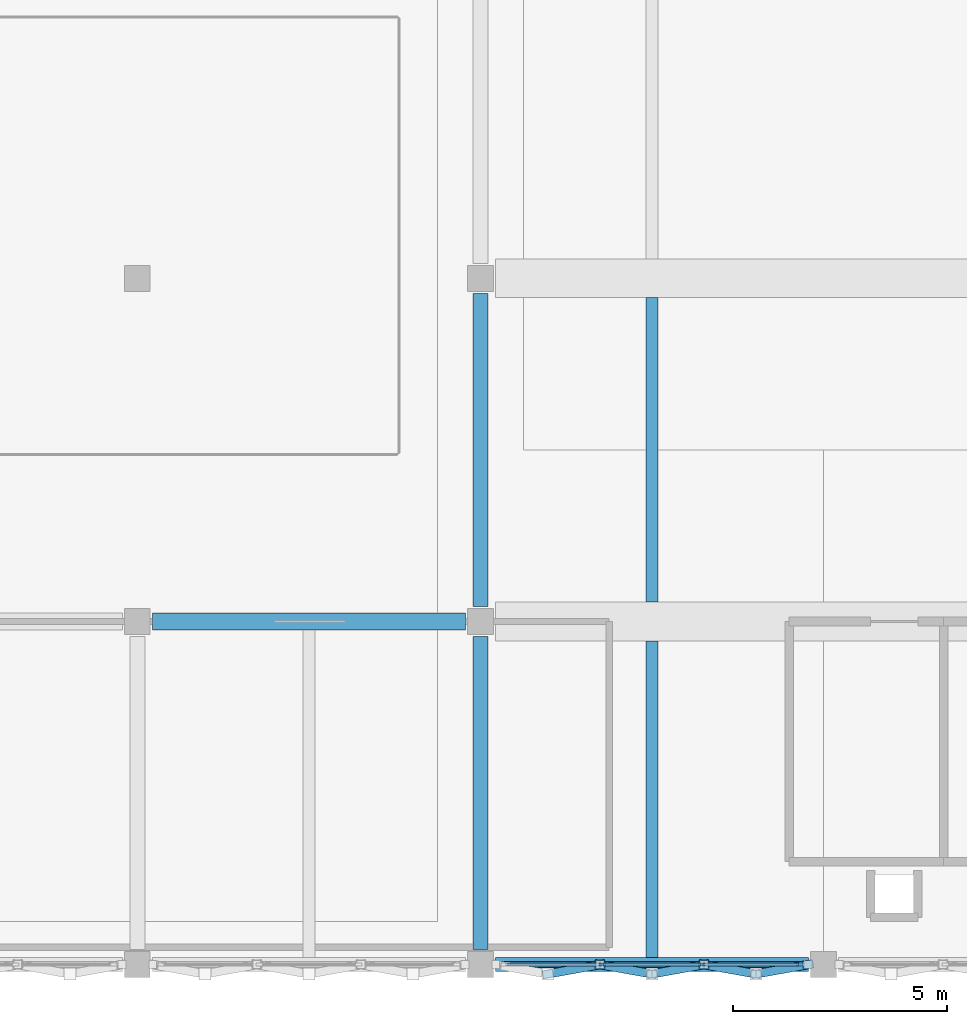
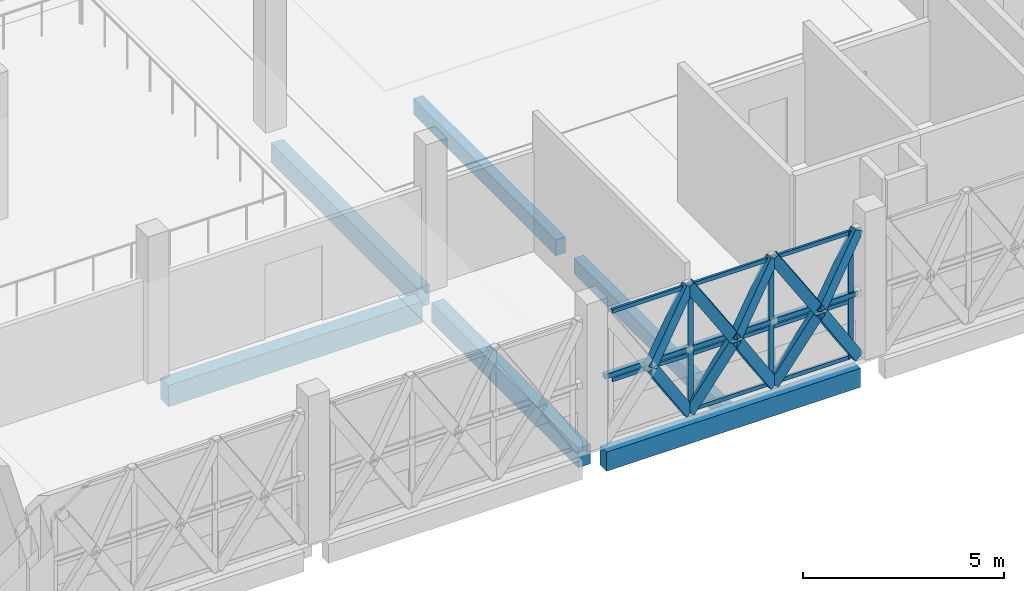
# One storey, part 11 of 43: 24 members, 6 beams, 1 element without a shape of its own.
"""IFC4 building model written with IfcOpenShell, lengths in metres."""

from ifc_helpers import new_model, si_unit, direction, frame, origin, origin_2d, place, context, subcontext, project, spatial, rectangle, hollow_rectangle, extrude, material, layer, layer_set, material_profile, profile_set, type_object, element, aggregate, save


model = new_model("IFC4")

# Units and contexts
model_context = context("Model", 3, precision=1e-05, world=origin(), true_north=direction((0.0, 1.0)))
body_context = subcontext(model_context, "Body", "Model", "MODEL_VIEW")
ifc_project = project(units=[si_unit("LENGTHUNIT", "METRE"), si_unit("AREAUNIT", "SQUARE_METRE"), si_unit("VOLUMEUNIT", "CUBIC_METRE"), si_unit("PLANEANGLEUNIT", "RADIAN"), si_unit("MASSUNIT", "GRAM", prefix="KILO")], contexts=[model_context])

# Site, building, storey
site_placement = place(None, origin())
site = spatial("IfcSite", under=ifc_project, at=site_placement, CompositionType="ELEMENT")
building_placement = place(site_placement, origin())
building = spatial("IfcBuilding", under=site, at=building_placement, Name="Qorikala Patio Media Centre", CompositionType="ELEMENT")
storey_placement = place(building_placement, frame((0.0, 0.0, 18.89990234375)))
storey = spatial("IfcBuildingStorey", under=building, at=storey_placement, Name="L04", CompositionType="ELEMENT", Elevation=18.89990234375)

# Beams
ifc_material_1 = material(Name="Concrete C35/45", Category="concrete")
ifc_material_profile_1 = material_profile(ifc_material_1, rectangle(XDim=0.35009765625, YDim=0.60009765625, at=origin_2d()), Name="RC 350x600")
ifc_profile_set_1 = profile_set([ifc_material_profile_1], Name="Concrete C35/45")
beam_type_1 = type_object("IfcBeamType", Name="BM-G350X600", PredefinedType="BEAM", material=ifc_profile_set_1)
for number, where, z_axis, x_axis, name in (
    (1, (59.0, 3.35009765625, -0.599853515625), (0.0, 1.0, 0.0), (-1.0, 0.0, 0.0), "L04 Grid X=59 Beam 1429"),
    (2, (59.0, 11.35009765625, -0.599853515625), (0.0, 1.0, 0.0), (-1.0, 0.0, 0.0), "L04 Grid X=59 Beam 1430"),
):
    element("IfcBeam", number, at=place(storey_placement, frame(where, z_axis=z_axis, x_axis=x_axis)), inside=storey, type_object=beam_type_1, Name=name, PredefinedType="BEAM", context=body_context, shape_type="SweptSolid", body=[
        extrude(rectangle(XDim=0.35009765625, YDim=0.60009765625, at=origin_2d()), origin(), (0.0, 0.0, 1.0), 7.2998046875),
    ])
ifc_material_profile_2 = material_profile(ifc_material_1, rectangle(XDim=0.39990234375, YDim=0.64990234375, at=origin_2d()), Name="RC 400x650")
ifc_profile_set_2 = profile_set([ifc_material_profile_2], Name="Concrete C35/45")
beam_type_2 = type_object("IfcBeamType", Name="BM-G400X650", PredefinedType="BEAM", material=ifc_profile_set_2)
beam_1_placement = place(storey_placement, frame((51.35009765625, 11.0, -0.625), z_axis=(1.0, 0.0, 0.0), x_axis=(0.0, 1.0, 0.0)))
element("IfcBeam", 3, at=beam_1_placement, inside=storey, type_object=beam_type_2, Name="L04 Grid 11 Beam 1336", PredefinedType="BEAM", context=body_context, shape_type="SweptSolid", body=[
    extrude(rectangle(XDim=0.39990234375, YDim=0.64990234375, at=origin_2d()), origin(), (0.0, 0.0, 1.0), 7.2998046875),
])

# Members
ifc_material_2 = material(Name="Golden Bronze Coated Steel S355", Category="steel")
ifc_material_profile_3 = material_profile(ifc_material_2, hollow_rectangle(XDim=0.139892578125, YDim=0.139892578125, WallThickness=0.006103515625, at=origin_2d()), Name="HSS140X140X6")
ifc_profile_set_3 = profile_set([ifc_material_profile_3], Name="Golden Bronze Coated Steel S355")
member_type_1 = type_object("IfcMemberType", Name="BRACE-DIA140", PredefinedType="BRACE", material=ifc_profile_set_3)
member_1_placement = place(storey_placement, frame((66.639892578125, 3.0, 1.925048828125), z_axis=(-1.0, 0.0, 0.0), x_axis=(0.0, -1.0, 0.0)))
element("IfcMember", 4, at=member_1_placement, inside=storey, type_object=member_type_1, Name="L04 Diamond Fold Tie 133", PredefinedType="BRACE", context=body_context, shape_type="SweptSolid", body=[
    extrude(hollow_rectangle(XDim=0.139892578125, YDim=0.139892578125, WallThickness=0.006103515625, at=origin_2d()), origin(), (0.0, 0.0, 1.0), 2.426513671875),
])
member_2_placement = place(storey_placement, frame((64.21337890625, 3.0, 1.925048828125), z_axis=(-1.0, 0.0, 0.0), x_axis=(0.0, -1.0, 0.0)))
element("IfcMember", 5, at=member_2_placement, inside=storey, type_object=member_type_1, Name="L04 Diamond Fold Tie 134", PredefinedType="BRACE", context=body_context, shape_type="SweptSolid", body=[
    extrude(hollow_rectangle(XDim=0.139892578125, YDim=0.139892578125, WallThickness=0.006103515625, at=origin_2d()), origin(), (0.0, 0.0, 1.0), 2.4267578125),
])
member_3_placement = place(storey_placement, frame((61.78662109375, 3.0, 1.925048828125), z_axis=(-1.0, 0.0, 0.0), x_axis=(0.0, -1.0, 0.0)))
element("IfcMember", 6, at=member_3_placement, inside=storey, type_object=member_type_1, Name="L04 Diamond Fold Tie 135", PredefinedType="BRACE", context=body_context, shape_type="SweptSolid", body=[
    extrude(hollow_rectangle(XDim=0.139892578125, YDim=0.139892578125, WallThickness=0.006103515625, at=origin_2d()), origin(), (0.0, 0.0, 1.0), 2.426513671875),
])

# Curtain wall, members
ifc_material_3 = material(Name="Golden Bronze Anodised Aluminium and Low-E Glass", Category="aluminium")
ifc_layer = layer(ifc_material_3, 0.159912109375)
ifc_layer_set = layer_set([ifc_layer], Name="Golden Bronze Anodised Aluminium and Low-E Glass")
curtain_wall_type = type_object("IfcCurtainWallType", Name="CW-DIA-696X385", PredefinedType="USERDEFINED", material=ifc_layer_set)
curtain_wall_placement = place(storey_placement, origin())
curtain_wall = element("IfcCurtainWall", 7, at=curtain_wall_placement, inside=storey, type_object=curtain_wall_type, Name="L04 Courtyard Curtain Wall 086", ObjectType="COURTYARD CURTAIN WALL", PredefinedType="USERDEFINED")
ifc_material_4 = material(Name="Golden Bronze Anodised Aluminium", Category="aluminium")
ifc_material_profile_4 = material_profile(ifc_material_4, rectangle(XDim=0.06494140625, YDim=0.14990234375, at=origin_2d()), Name="ALU MULLION 65x150")
ifc_profile_set_4 = profile_set([ifc_material_profile_4], Name="Golden Bronze Anodised Aluminium")
member_type_2 = type_object("IfcMemberType", Name="CWM-65X150", PredefinedType="MULLION", material=ifc_profile_set_4)
member_4_placement = place(storey_placement, frame((66.447509765625, 3.0, 0.0), z_axis=(0.0, 0.0, 1.0), x_axis=(0.0, -1.0, 0.0)))
member_4 = element("IfcMember", 8, at=member_4_placement, type_object=member_type_2, Name="CWD696385 mullion 1", PredefinedType="MULLION", context=body_context, shape_type="SweptSolid", body=[
    extrude(rectangle(XDim=0.06494140625, YDim=0.14990234375, at=origin_2d()), origin(), (0.0, 0.0, 1.0), 3.85009765625),
])
member_5_placement = place(storey_placement, frame((64.159912109375, 3.0, 0.0), z_axis=(0.0, 0.0, 1.0), x_axis=(0.0, -1.0, 0.0)))
member_5 = element("IfcMember", 9, at=member_5_placement, type_object=member_type_2, Name="CWD696385 mullion 2", PredefinedType="MULLION", context=body_context, shape_type="SweptSolid", body=[
    extrude(rectangle(XDim=0.06494140625, YDim=0.14990234375, at=origin_2d()), origin(), (0.0, 0.0, 1.0), 3.85009765625),
])
member_6_placement = place(storey_placement, frame((61.840087890625, 3.0, 0.0), z_axis=(0.0, 0.0, 1.0), x_axis=(0.0, -1.0, 0.0)))
member_6 = element("IfcMember", 10, at=member_6_placement, type_object=member_type_2, Name="CWD696385 mullion 3", PredefinedType="MULLION", context=body_context, shape_type="SweptSolid", body=[
    extrude(rectangle(XDim=0.06494140625, YDim=0.14990234375, at=origin_2d()), origin(), (0.0, 0.0, 1.0), 3.85009765625),
])
ifc_material_profile_5 = material_profile(ifc_material_4, rectangle(XDim=0.06494140625, YDim=0.1201171875, at=origin_2d()), Name="ALU TRANSOM 65x120")
ifc_profile_set_5 = profile_set([ifc_material_profile_5], Name="Golden Bronze Anodised Aluminium")
member_type_3 = type_object("IfcMemberType", Name="CWT-65X120", PredefinedType="USERDEFINED", material=ifc_profile_set_5)
member_7_placement = place(storey_placement, frame((66.4150390625, 3.0, 0.03271484375), z_axis=(-1.0, 0.0, 0.0), x_axis=(0.0, -1.0, 0.0)))
member_7 = element("IfcMember", 11, at=member_7_placement, type_object=member_type_3, Name="CWD696385 transom 1.1", ObjectType="TRANSOM", PredefinedType="USERDEFINED", context=body_context, shape_type="SweptSolid", body=[
    extrude(rectangle(XDim=0.06494140625, YDim=0.1201171875, at=origin_2d()), origin(), (0.0, 0.0, 1.0), 2.22265625),
])
member_8_placement = place(storey_placement, frame((66.4150390625, 3.0, 1.732666015625), z_axis=(-1.0, 0.0, 0.0), x_axis=(0.0, -1.0, 0.0)))
member_8 = element("IfcMember", 12, at=member_8_placement, type_object=member_type_3, Name="CWD696385 transom 1.2", ObjectType="TRANSOM", PredefinedType="USERDEFINED", context=body_context, shape_type="SweptSolid", body=[
    extrude(rectangle(XDim=0.06494140625, YDim=0.1201171875, at=origin_2d()), origin(), (0.0, 0.0, 1.0), 2.22265625),
])
member_9_placement = place(storey_placement, frame((66.4150390625, 3.0, 3.817626953125), z_axis=(-1.0, 0.0, 0.0), x_axis=(0.0, -1.0, 0.0)))
member_9 = element("IfcMember", 13, at=member_9_placement, type_object=member_type_3, Name="CWD696385 transom 1.3", ObjectType="TRANSOM", PredefinedType="USERDEFINED", context=body_context, shape_type="SweptSolid", body=[
    extrude(rectangle(XDim=0.06494140625, YDim=0.1201171875, at=origin_2d()), origin(), (0.0, 0.0, 1.0), 2.22265625),
])
member_10_placement = place(storey_placement, frame((64.12744140625, 3.0, 0.03271484375), z_axis=(-1.0, 0.0, 0.0), x_axis=(0.0, -1.0, 0.0)))
member_10 = element("IfcMember", 14, at=member_10_placement, type_object=member_type_3, Name="CWD696385 transom 2.1", ObjectType="TRANSOM", PredefinedType="USERDEFINED", context=body_context, shape_type="SweptSolid", body=[
    extrude(rectangle(XDim=0.06494140625, YDim=0.1201171875, at=origin_2d()), origin(), (0.0, 0.0, 1.0), 2.2548828125),
])
member_11_placement = place(storey_placement, frame((64.12744140625, 3.0, 1.732666015625), z_axis=(-1.0, 0.0, 0.0), x_axis=(0.0, -1.0, 0.0)))
member_11 = element("IfcMember", 15, at=member_11_placement, type_object=member_type_3, Name="CWD696385 transom 2.2", ObjectType="TRANSOM", PredefinedType="USERDEFINED", context=body_context, shape_type="SweptSolid", body=[
    extrude(rectangle(XDim=0.06494140625, YDim=0.1201171875, at=origin_2d()), origin(), (0.0, 0.0, 1.0), 2.2548828125),
])
member_12_placement = place(storey_placement, frame((64.12744140625, 3.0, 3.817626953125), z_axis=(-1.0, 0.0, 0.0), x_axis=(0.0, -1.0, 0.0)))
member_12 = element("IfcMember", 16, at=member_12_placement, type_object=member_type_3, Name="CWD696385 transom 2.3", ObjectType="TRANSOM", PredefinedType="USERDEFINED", context=body_context, shape_type="SweptSolid", body=[
    extrude(rectangle(XDim=0.06494140625, YDim=0.1201171875, at=origin_2d()), origin(), (0.0, 0.0, 1.0), 2.2548828125),
])
member_13_placement = place(storey_placement, frame((61.8076171875, 3.0, 1.732666015625), z_axis=(-1.0, 0.0, 0.0), x_axis=(0.0, -1.0, 0.0)))
member_13 = element("IfcMember", 17, at=member_13_placement, type_object=member_type_3, Name="CWD696385 transom 3.2", ObjectType="TRANSOM", PredefinedType="USERDEFINED", context=body_context, shape_type="SweptSolid", body=[
    extrude(rectangle(XDim=0.06494140625, YDim=0.1201171875, at=origin_2d()), origin(), (0.0, 0.0, 1.0), 2.22265625),
])
member_14_placement = place(storey_placement, frame((61.8076171875, 3.0, 3.817626953125), z_axis=(-1.0, 0.0, 0.0), x_axis=(0.0, -1.0, 0.0)))
member_14 = element("IfcMember", 18, at=member_14_placement, type_object=member_type_3, Name="CWD696385 transom 3.3", ObjectType="TRANSOM", PredefinedType="USERDEFINED", context=body_context, shape_type="SweptSolid", body=[
    extrude(rectangle(XDim=0.06494140625, YDim=0.1201171875, at=origin_2d()), origin(), (0.0, 0.0, 1.0), 2.22265625),
])
aggregate(curtain_wall, [member_4, member_5, member_6, member_7, member_8, member_9, member_10, member_11, member_12, member_13, member_14])

# Beams
ifc_material_profile_6 = material_profile(ifc_material_1, rectangle(XDim=0.280029296875, YDim=0.47998046875, at=origin_2d()), Name="RC 280x480")
ifc_profile_set_6 = profile_set([ifc_material_profile_6], Name="Concrete C35/45")
beam_type_3 = type_object("IfcBeamType", Name="JS-280X480", PredefinedType="JOIST", material=ifc_profile_set_6)
beam_2_placement = place(storey_placement, frame((63.0, 3.159912109375, -0.539794921875), z_axis=(0.0, 1.0, 0.0), x_axis=(-1.0, 0.0, 0.0)))
element("IfcBeam", 19, at=beam_2_placement, inside=storey, type_object=beam_type_3, Name="L04 Secondary Joist 1473", PredefinedType="JOIST", context=body_context, shape_type="SweptSolid", body=[
    extrude(rectangle(XDim=0.280029296875, YDim=0.47998046875, at=origin_2d()), origin(), (0.0, 0.0, 1.0), 7.39013671875),
])
beam_3_placement = place(storey_placement, frame((63.0, 11.449951171875, -0.539794921875), z_axis=(0.0, 1.0, 0.0), x_axis=(-1.0, 0.0, 0.0)))
element("IfcBeam", 20, at=beam_3_placement, inside=storey, type_object=beam_type_3, Name="L04 Secondary Joist 1474", PredefinedType="JOIST", context=body_context, shape_type="SweptSolid", body=[
    extrude(rectangle(XDim=0.280029296875, YDim=0.47998046875, at=origin_2d()), origin(), (0.0, 0.0, 1.0), 7.10009765625),
])
ifc_material_profile_7 = material_profile(ifc_material_1, rectangle(XDim=0.320068359375, YDim=0.580078125, at=origin_2d()), Name="RC 320x580")
ifc_profile_set_7 = profile_set([ifc_material_profile_7], Name="Concrete C35/45")
beam_type_4 = type_object("IfcBeamType", Name="SP-320X580", PredefinedType="SPANDREL", material=ifc_profile_set_7)
beam_4_placement = place(storey_placement, frame((59.35009765625, 3.0, -0.58984375), z_axis=(1.0, 0.0, 0.0), x_axis=(0.0, 1.0, 0.0)))
element("IfcBeam", 21, at=beam_4_placement, inside=storey, type_object=beam_type_4, Name="L04 Grid 3 Beam 1325", PredefinedType="SPANDREL", context=body_context, shape_type="SweptSolid", body=[
    extrude(rectangle(XDim=0.320068359375, YDim=0.580078125, at=origin_2d()), origin(), (0.0, 0.0, 1.0), 7.2998046875),
])

# Members
ifc_material_profile_8 = material_profile(ifc_material_2, hollow_rectangle(XDim=0.199951171875, YDim=0.300048828125, WallThickness=0.011962890625, at=origin_2d()), Name="HSS300X200X12")
ifc_profile_set_8 = profile_set([ifc_material_profile_8], Name="Golden Bronze Coated Steel S355")
member_type_4 = type_object("IfcMemberType", Name="STRUT-DIA300", PredefinedType="STRUT", material=ifc_profile_set_8)
member_15_placement = place(storey_placement, frame((66.639892578125, 3.0, 0.0), z_axis=(-0.530691378365, -0.095906793675, 0.842121456713), x_axis=(0.17783968734, -0.984059472596, 0.0)))
element("IfcMember", 22, at=member_15_placement, inside=storey, type_object=member_type_4, Name="L04 Diamond Foyer Fold Strut 133-DL1", PredefinedType="STRUT", context=body_context, shape_type="SweptSolid", body=[
    extrude(hollow_rectangle(XDim=0.199951171875, YDim=0.300048828125, WallThickness=0.011962890625, at=origin_2d()), origin(), (0.0, 0.0, 1.0), 2.285888671875),
])
member_16_placement = place(storey_placement, frame((64.21337890625, 3.0, 0.0), z_axis=(0.530768093717, -0.095901357778, 0.842073726148), x_axis=(0.177805036072, 0.98406573416, 0.0)))
element("IfcMember", 23, at=member_16_placement, inside=storey, type_object=member_type_4, Name="L04 Diamond Foyer Fold Strut 133-DL2", PredefinedType="STRUT", context=body_context, shape_type="SweptSolid", body=[
    extrude(hollow_rectangle(XDim=0.199951171875, YDim=0.300048828125, WallThickness=0.011962890625, at=origin_2d()), origin(), (0.0, 0.0, 1.0), 2.2861328125),
])
member_17_placement = place(storey_placement, frame((65.4267578125, 2.78076171875, 1.925048828125), z_axis=(0.530691378365, 0.095906793675, 0.842121456713), x_axis=(-0.17783968734, 0.984059472596, 0.0)))
element("IfcMember", 24, at=member_17_placement, inside=storey, type_object=member_type_4, Name="L04 Diamond Foyer Fold Strut 133-DU1", PredefinedType="STRUT", context=body_context, shape_type="SweptSolid", body=[
    extrude(hollow_rectangle(XDim=0.199951171875, YDim=0.300048828125, WallThickness=0.011962890625, at=origin_2d()), origin(), (0.0, 0.0, 1.0), 2.285888671875),
])
for number, where, z_axis, x_axis, name in (
    (25, (65.4267578125, 2.78076171875, 1.925048828125), (-0.530768093717, 0.095901357778, 0.842073726148), (-0.177805036072, -0.98406573416, 0.0), "L04 Diamond Foyer Fold Strut 133-DU2"),
    (26, (64.21337890625, 3.0, 0.0), (-0.530768093717, -0.095901357778, 0.842073726148), (0.177805036072, -0.98406573416, 0.0), "L04 Diamond Foyer Fold Strut 134-DL1"),
    (27, (61.78662109375, 3.0, 0.0), (0.530768093717, -0.095901357778, 0.842073726148), (0.177805036072, 0.98406573416, 0.0), "L04 Diamond Foyer Fold Strut 134-DL2"),
    (28, (63.0, 2.78076171875, 1.925048828125), (0.530768093717, 0.095901357778, 0.842073726148), (-0.177805036072, 0.98406573416, 0.0), "L04 Diamond Foyer Fold Strut 134-DU1"),
    (29, (63.0, 2.78076171875, 1.925048828125), (-0.530768093717, 0.095901357778, 0.842073726148), (-0.177805036072, -0.98406573416, 0.0), "L04 Diamond Foyer Fold Strut 134-DU2"),
    (30, (61.78662109375, 3.0, 0.0), (-0.530768093717, -0.095901357778, 0.842073726148), (0.177805036072, -0.98406573416, 0.0), "L04 Diamond Foyer Fold Strut 135-DL1"),
    (31, (60.5732421875, 2.78076171875, 1.925048828125), (0.530768093717, 0.095901357778, 0.842073726148), (-0.177805036072, 0.98406573416, 0.0), "L04 Diamond Foyer Fold Strut 135-DU1"),
):
    element("IfcMember", number, at=place(storey_placement, frame(where, z_axis=z_axis, x_axis=x_axis)), inside=storey, type_object=member_type_4, Name=name, PredefinedType="STRUT", context=body_context, shape_type="SweptSolid", body=[
        extrude(hollow_rectangle(XDim=0.199951171875, YDim=0.300048828125, WallThickness=0.011962890625, at=origin_2d()), origin(), (0.0, 0.0, 1.0), 2.2861328125),
    ])

save(model, "model.ifc")
